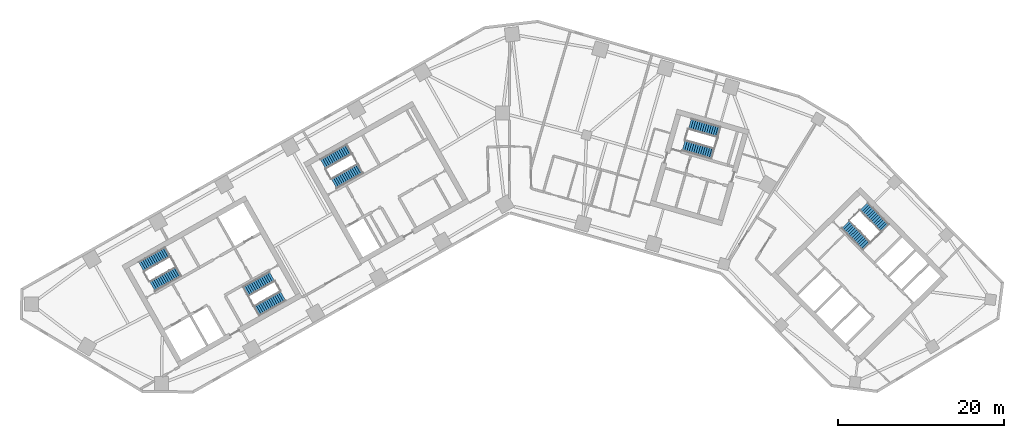
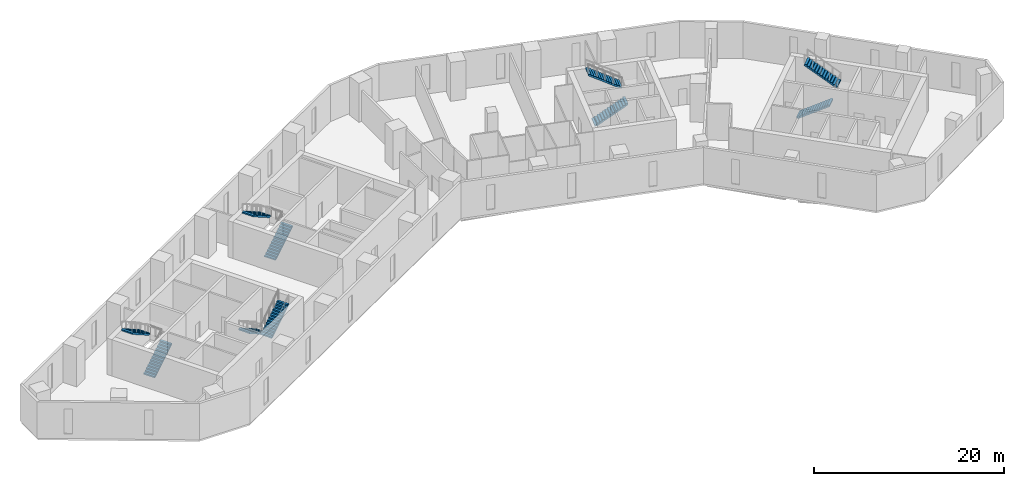
# One storey, part 8 of 10: 10 stair flights, 5 elements without a shape of their own.
"""IFC4 building model written with IfcOpenShell, lengths in metres."""

from ifc_helpers import new_model, si_unit, direction, frame, origin, place, context, subcontext, project, spatial, polyline, outline, extrude, material, type_object, element, aggregate, save


model = new_model("IFC4")

# Units and contexts
model_context = context("Model", 3, precision=1e-05, world=origin(), true_north=direction((0.0, 1.0)))
body_context = subcontext(model_context, "Body", "Model", "MODEL_VIEW")
ifc_project = project(units=[si_unit("LENGTHUNIT", "METRE"), si_unit("AREAUNIT", "SQUARE_METRE"), si_unit("VOLUMEUNIT", "CUBIC_METRE"), si_unit("PLANEANGLEUNIT", "RADIAN"), si_unit("MASSUNIT", "GRAM", prefix="KILO")], contexts=[model_context])

# Site, building, storey
site_placement = place(None, origin())
site = spatial("IfcSite", under=ifc_project, at=site_placement, CompositionType="ELEMENT")
building_placement = place(site_placement, origin())
building = spatial("IfcBuilding", under=site, at=building_placement, Name="Binnacle Exchange Tower", CompositionType="ELEMENT")
storey_placement = place(building_placement, frame((0.0, 0.0, 71.5)))
storey = spatial("IfcBuildingStorey", under=building, at=storey_placement, Name="L14", CompositionType="ELEMENT", Elevation=71.5)

# Stair, stair flights
ifc_material = material(Name="Concrete C35/45", Category="concrete")
stair_type = type_object("IfcStairType", Name="STAIR 28 RISERS 179", PredefinedType="HALF_TURN_STAIR", material=ifc_material)
stair_1_placement = place(storey_placement, origin())
stair_1 = element("IfcStair", 1, at=stair_1_placement, inside=storey, type_object=stair_type, Name="L14 Escape stair A1", PredefinedType="HALF_TURN_STAIR")
stair_flight_type = type_object("IfcStairFlightType", Name="STAIR FLIGHT 179X280", PredefinedType="STRAIGHT", material=ifc_material)
stair_flight_1_placement = place(storey_placement, frame((-42.9541015625, 39.17333984375, 0.0), z_axis=(0.0, 0.0, 1.0), x_axis=(0.870355584213, 0.492423757581, 0.0)))
stair_flight_1 = element("IfcStairFlight", 2, at=stair_flight_1_placement, type_object=stair_flight_type, Name="STA1 flight 1", NumberOfRisers=14, NumberOfTreads=13, PredefinedType="STRAIGHT", RiserHeight=0.178571429, TreadLength=0.28, context=body_context, shape_type="SweptSolid", body=[
    extrude(outline(polyline([(0.0, 0.0), (0.0, 0.178466796875), (0.280029296875, 0.178466796875), (0.280029296875, 0.357177734375), (0.56005859375, 0.357177734375), (0.56005859375, 0.53564453125), (0.840087890625, 0.53564453125), (0.840087890625, 0.71435546875), (1.1201171875, 0.71435546875), (1.1201171875, 0.892822265625), (1.39990234375, 0.892822265625), (1.39990234375, 1.071533203125), (1.679931640625, 1.071533203125), (1.679931640625, 1.25), (1.9599609375, 1.25), (1.9599609375, 1.428466796875), (2.239990234375, 1.428466796875), (2.239990234375, 1.607177734375), (2.52001953125, 1.607177734375), (2.52001953125, 1.78564453125), (2.800048828125, 1.78564453125), (2.800048828125, 1.96435546875), (3.080078125, 1.96435546875), (3.080078125, 2.142822265625), (3.360107421875, 2.142822265625), (3.360107421875, 2.321533203125), (3.639892578125, 2.321533203125), (3.639892578125, 2.5), (3.639892578125, 2.1435546875), (0.27880859375, 0.0), (0.0, 0.0)])), frame((0.0, 0.675048828125, 0.0), z_axis=(0.0, -1.0, 0.0), x_axis=(1.0, 0.0, 0.0)), (0.0, 0.0, 1.0), 1.35009765625),
])
stair_flight_2_placement = place(storey_placement, frame((-41.115478515625, 43.315673828125, 2.5), z_axis=(0.0, 0.0, 1.0), x_axis=(-0.870355584213, -0.492423757581, 0.0)))
stair_flight_2 = element("IfcStairFlight", 3, at=stair_flight_2_placement, type_object=stair_flight_type, Name="STA1 flight 2", NumberOfRisers=14, NumberOfTreads=13, PredefinedType="STRAIGHT", RiserHeight=0.178571429, TreadLength=0.28, context=body_context, shape_type="SweptSolid", body=[
    extrude(outline(polyline([(0.0, 0.0), (0.0, 0.178466796875), (0.280029296875, 0.178466796875), (0.280029296875, 0.357177734375), (0.56005859375, 0.357177734375), (0.56005859375, 0.53564453125), (0.840087890625, 0.53564453125), (0.840087890625, 0.71435546875), (1.1201171875, 0.71435546875), (1.1201171875, 0.892822265625), (1.39990234375, 0.892822265625), (1.39990234375, 1.071533203125), (1.679931640625, 1.071533203125), (1.679931640625, 1.25), (1.9599609375, 1.25), (1.9599609375, 1.428466796875), (2.239990234375, 1.428466796875), (2.239990234375, 1.607177734375), (2.52001953125, 1.607177734375), (2.52001953125, 1.78564453125), (2.800048828125, 1.78564453125), (2.800048828125, 1.96435546875), (3.080078125, 1.96435546875), (3.080078125, 2.142822265625), (3.360107421875, 2.142822265625), (3.360107421875, 2.321533203125), (3.639892578125, 2.321533203125), (3.639892578125, 2.5), (3.639892578125, 2.1435546875), (0.27880859375, 0.0), (0.0, 0.0)])), frame((0.0, 0.675048828125, 0.0), z_axis=(0.0, -1.0, 0.0), x_axis=(1.0, 0.0, 0.0)), (0.0, 0.0, 1.0), 1.35009765625),
])
aggregate(stair_1, [stair_flight_1, stair_flight_2])

stair_2_placement = place(storey_placement, origin())
stair_2 = element("IfcStair", 4, at=stair_2_placement, inside=storey, type_object=stair_type, Name="L14 Escape stair A2", PredefinedType="HALF_TURN_STAIR")
stair_flight_3_placement = place(storey_placement, frame((-28.5732421875, 40.3583984375, 0.0), z_axis=(0.0, 0.0, 1.0), x_axis=(-0.870355584213, -0.492423757581, 0.0)))
stair_flight_3 = element("IfcStairFlight", 5, at=stair_flight_3_placement, type_object=stair_flight_type, Name="STA2 flight 1", NumberOfRisers=14, NumberOfTreads=13, PredefinedType="STRAIGHT", RiserHeight=0.178571429, TreadLength=0.28, context=body_context, shape_type="SweptSolid", body=[
    extrude(outline(polyline([(0.0, 0.0), (0.0, 0.178466796875), (0.280029296875, 0.178466796875), (0.280029296875, 0.357177734375), (0.56005859375, 0.357177734375), (0.56005859375, 0.53564453125), (0.840087890625, 0.53564453125), (0.840087890625, 0.71435546875), (1.1201171875, 0.71435546875), (1.1201171875, 0.892822265625), (1.39990234375, 0.892822265625), (1.39990234375, 1.071533203125), (1.679931640625, 1.071533203125), (1.679931640625, 1.25), (1.9599609375, 1.25), (1.9599609375, 1.428466796875), (2.239990234375, 1.428466796875), (2.239990234375, 1.607177734375), (2.52001953125, 1.607177734375), (2.52001953125, 1.78564453125), (2.800048828125, 1.78564453125), (2.800048828125, 1.96435546875), (3.080078125, 1.96435546875), (3.080078125, 2.142822265625), (3.360107421875, 2.142822265625), (3.360107421875, 2.321533203125), (3.639892578125, 2.321533203125), (3.639892578125, 2.5), (3.639892578125, 2.1435546875), (0.27880859375, 0.0), (0.0, 0.0)])), frame((0.0, 0.675048828125, 0.0), z_axis=(0.0, -1.0, 0.0), x_axis=(1.0, 0.0, 0.0)), (0.0, 0.0, 1.0), 1.35009765625),
])
stair_flight_4_placement = place(storey_placement, frame((-30.411865234375, 36.216064453125, 2.5), z_axis=(0.0, 0.0, 1.0), x_axis=(0.870355584213, 0.492423757581, 0.0)))
stair_flight_4 = element("IfcStairFlight", 6, at=stair_flight_4_placement, type_object=stair_flight_type, Name="STA2 flight 2", NumberOfRisers=14, NumberOfTreads=13, PredefinedType="STRAIGHT", RiserHeight=0.178571429, TreadLength=0.28, context=body_context, shape_type="SweptSolid", body=[
    extrude(outline(polyline([(0.0, 0.0), (0.0, 0.178466796875), (0.280029296875, 0.178466796875), (0.280029296875, 0.357177734375), (0.56005859375, 0.357177734375), (0.56005859375, 0.53564453125), (0.840087890625, 0.53564453125), (0.840087890625, 0.71435546875), (1.1201171875, 0.71435546875), (1.1201171875, 0.892822265625), (1.39990234375, 0.892822265625), (1.39990234375, 1.071533203125), (1.679931640625, 1.071533203125), (1.679931640625, 1.25), (1.9599609375, 1.25), (1.9599609375, 1.428466796875), (2.239990234375, 1.428466796875), (2.239990234375, 1.607177734375), (2.52001953125, 1.607177734375), (2.52001953125, 1.78564453125), (2.800048828125, 1.78564453125), (2.800048828125, 1.96435546875), (3.080078125, 1.96435546875), (3.080078125, 2.142822265625), (3.360107421875, 2.142822265625), (3.360107421875, 2.321533203125), (3.639892578125, 2.321533203125), (3.639892578125, 2.5), (3.639892578125, 2.1435546875), (0.27880859375, 0.0), (0.0, 0.0)])), frame((0.0, 0.675048828125, 0.0), z_axis=(0.0, -1.0, 0.0), x_axis=(1.0, 0.0, 0.0)), (0.0, 0.0, 1.0), 1.35009765625),
])
aggregate(stair_2, [stair_flight_3, stair_flight_4])

stair_3_placement = place(storey_placement, origin())
stair_3 = element("IfcStair", 7, at=stair_3_placement, inside=storey, type_object=stair_type, Name="L14 Escape stair B1", PredefinedType="HALF_TURN_STAIR")
stair_flight_5_placement = place(storey_placement, frame((40.376708984375, 46.608642578125, 0.0), z_axis=(0.0, 0.0, 1.0), x_axis=(0.70090935144, -0.713250363522, 0.0)))
stair_flight_5 = element("IfcStairFlight", 8, at=stair_flight_5_placement, type_object=stair_flight_type, Name="STB1 flight 1", NumberOfRisers=14, NumberOfTreads=13, PredefinedType="STRAIGHT", RiserHeight=0.178571429, TreadLength=0.28, context=body_context, shape_type="SweptSolid", body=[
    extrude(outline(polyline([(0.0, 0.0), (0.0, 0.178466796875), (0.280029296875, 0.178466796875), (0.280029296875, 0.357177734375), (0.56005859375, 0.357177734375), (0.56005859375, 0.53564453125), (0.840087890625, 0.53564453125), (0.840087890625, 0.71435546875), (1.1201171875, 0.71435546875), (1.1201171875, 0.892822265625), (1.39990234375, 0.892822265625), (1.39990234375, 1.071533203125), (1.679931640625, 1.071533203125), (1.679931640625, 1.25), (1.9599609375, 1.25), (1.9599609375, 1.428466796875), (2.239990234375, 1.428466796875), (2.239990234375, 1.607177734375), (2.52001953125, 1.607177734375), (2.52001953125, 1.78564453125), (2.800048828125, 1.78564453125), (2.800048828125, 1.96435546875), (3.080078125, 1.96435546875), (3.080078125, 2.142822265625), (3.360107421875, 2.142822265625), (3.360107421875, 2.321533203125), (3.639892578125, 2.321533203125), (3.639892578125, 2.5), (3.639892578125, 2.1435546875), (0.27880859375, 0.0), (0.0, 0.0)])), frame((0.0, 0.675048828125, 0.0), z_axis=(0.0, -1.0, 0.0), x_axis=(1.0, 0.0, 0.0)), (0.0, 0.0, 1.0), 1.35009765625),
])
stair_flight_6_placement = place(storey_placement, frame((45.13916015625, 46.185302734375, 2.5), z_axis=(0.0, 0.0, 1.0), x_axis=(-0.70090935144, 0.713250363522, 0.0)))
stair_flight_6 = element("IfcStairFlight", 9, at=stair_flight_6_placement, type_object=stair_flight_type, Name="STB1 flight 2", NumberOfRisers=14, NumberOfTreads=13, PredefinedType="STRAIGHT", RiserHeight=0.178571429, TreadLength=0.28, context=body_context, shape_type="SweptSolid", body=[
    extrude(outline(polyline([(0.0, 0.0), (0.0, 0.178466796875), (0.280029296875, 0.178466796875), (0.280029296875, 0.357177734375), (0.56005859375, 0.357177734375), (0.56005859375, 0.53564453125), (0.840087890625, 0.53564453125), (0.840087890625, 0.71435546875), (1.1201171875, 0.71435546875), (1.1201171875, 0.892822265625), (1.39990234375, 0.892822265625), (1.39990234375, 1.071533203125), (1.679931640625, 1.071533203125), (1.679931640625, 1.25), (1.9599609375, 1.25), (1.9599609375, 1.428466796875), (2.239990234375, 1.428466796875), (2.239990234375, 1.607177734375), (2.52001953125, 1.607177734375), (2.52001953125, 1.78564453125), (2.800048828125, 1.78564453125), (2.800048828125, 1.96435546875), (3.080078125, 1.96435546875), (3.080078125, 2.142822265625), (3.360107421875, 2.142822265625), (3.360107421875, 2.321533203125), (3.639892578125, 2.321533203125), (3.639892578125, 2.5), (3.639892578125, 2.1435546875), (0.27880859375, 0.0), (0.0, 0.0)])), frame((0.0, 0.675048828125, 0.0), z_axis=(0.0, -1.0, 0.0), x_axis=(1.0, 0.0, 0.0)), (0.0, 0.0, 1.0), 1.35009765625),
])
aggregate(stair_3, [stair_flight_5, stair_flight_6])

stair_4_placement = place(storey_placement, origin())
stair_4 = element("IfcStair", 10, at=stair_4_placement, inside=storey, type_object=stair_type, Name="L14 Escape stair C1", PredefinedType="HALF_TURN_STAIR")
stair_flight_7_placement = place(storey_placement, frame((-21.115966796875, 51.528564453125, 0.0), z_axis=(0.0, 0.0, 1.0), x_axis=(0.870355584213, 0.492423757581, 0.0)))
stair_flight_7 = element("IfcStairFlight", 11, at=stair_flight_7_placement, type_object=stair_flight_type, Name="STC1 flight 1", NumberOfRisers=14, NumberOfTreads=13, PredefinedType="STRAIGHT", RiserHeight=0.178571429, TreadLength=0.28, context=body_context, shape_type="SweptSolid", body=[
    extrude(outline(polyline([(0.0, 0.0), (0.0, 0.178466796875), (0.280029296875, 0.178466796875), (0.280029296875, 0.357177734375), (0.56005859375, 0.357177734375), (0.56005859375, 0.53564453125), (0.840087890625, 0.53564453125), (0.840087890625, 0.71435546875), (1.1201171875, 0.71435546875), (1.1201171875, 0.892822265625), (1.39990234375, 0.892822265625), (1.39990234375, 1.071533203125), (1.679931640625, 1.071533203125), (1.679931640625, 1.25), (1.9599609375, 1.25), (1.9599609375, 1.428466796875), (2.239990234375, 1.428466796875), (2.239990234375, 1.607177734375), (2.52001953125, 1.607177734375), (2.52001953125, 1.78564453125), (2.800048828125, 1.78564453125), (2.800048828125, 1.96435546875), (3.080078125, 1.96435546875), (3.080078125, 2.142822265625), (3.360107421875, 2.142822265625), (3.360107421875, 2.321533203125), (3.639892578125, 2.321533203125), (3.639892578125, 2.5), (3.639892578125, 2.1435546875), (0.27880859375, 0.0), (0.0, 0.0)])), frame((0.0, 0.675048828125, 0.0), z_axis=(0.0, -1.0, 0.0), x_axis=(1.0, 0.0, 0.0)), (0.0, 0.0, 1.0), 1.35009765625),
])
stair_flight_8_placement = place(storey_placement, frame((-19.27734375, 55.671142578125, 2.5), z_axis=(0.0, 0.0, 1.0), x_axis=(-0.870355584213, -0.492423757581, 0.0)))
stair_flight_8 = element("IfcStairFlight", 12, at=stair_flight_8_placement, type_object=stair_flight_type, Name="STC1 flight 2", NumberOfRisers=14, NumberOfTreads=13, PredefinedType="STRAIGHT", RiserHeight=0.178571429, TreadLength=0.28, context=body_context, shape_type="SweptSolid", body=[
    extrude(outline(polyline([(0.0, 0.0), (0.0, 0.178466796875), (0.280029296875, 0.178466796875), (0.280029296875, 0.357177734375), (0.56005859375, 0.357177734375), (0.56005859375, 0.53564453125), (0.840087890625, 0.53564453125), (0.840087890625, 0.71435546875), (1.1201171875, 0.71435546875), (1.1201171875, 0.892822265625), (1.39990234375, 0.892822265625), (1.39990234375, 1.071533203125), (1.679931640625, 1.071533203125), (1.679931640625, 1.25), (1.9599609375, 1.25), (1.9599609375, 1.428466796875), (2.239990234375, 1.428466796875), (2.239990234375, 1.607177734375), (2.52001953125, 1.607177734375), (2.52001953125, 1.78564453125), (2.800048828125, 1.78564453125), (2.800048828125, 1.96435546875), (3.080078125, 1.96435546875), (3.080078125, 2.142822265625), (3.360107421875, 2.142822265625), (3.360107421875, 2.321533203125), (3.639892578125, 2.321533203125), (3.639892578125, 2.5), (3.639892578125, 2.1435546875), (0.27880859375, 0.0), (0.0, 0.0)])), frame((0.0, 0.675048828125, 0.0), z_axis=(0.0, -1.0, 0.0), x_axis=(1.0, 0.0, 0.0)), (0.0, 0.0, 1.0), 1.35009765625),
])
aggregate(stair_4, [stair_flight_7, stair_flight_8])

stair_5_placement = place(storey_placement, origin())
stair_5 = element("IfcStair", 13, at=stair_5_placement, inside=storey, type_object=stair_type, Name="L14 Escape stair D1", PredefinedType="HALF_TURN_STAIR")
stair_flight_9_placement = place(storey_placement, frame((20.914306640625, 56.109619140625, 0.0), z_axis=(0.0, 0.0, 1.0), x_axis=(0.961261811397, -0.275636953165, 0.0)))
stair_flight_9 = element("IfcStairFlight", 14, at=stair_flight_9_placement, type_object=stair_flight_type, Name="STD1 flight 1", NumberOfRisers=14, NumberOfTreads=13, PredefinedType="STRAIGHT", RiserHeight=0.178571429, TreadLength=0.28, context=body_context, shape_type="SweptSolid", body=[
    extrude(outline(polyline([(0.0, 0.0), (0.0, 0.178466796875), (0.280029296875, 0.178466796875), (0.280029296875, 0.357177734375), (0.56005859375, 0.357177734375), (0.56005859375, 0.53564453125), (0.840087890625, 0.53564453125), (0.840087890625, 0.71435546875), (1.1201171875, 0.71435546875), (1.1201171875, 0.892822265625), (1.39990234375, 0.892822265625), (1.39990234375, 1.071533203125), (1.679931640625, 1.071533203125), (1.679931640625, 1.25), (1.9599609375, 1.25), (1.9599609375, 1.428466796875), (2.239990234375, 1.428466796875), (2.239990234375, 1.607177734375), (2.52001953125, 1.607177734375), (2.52001953125, 1.78564453125), (2.800048828125, 1.78564453125), (2.800048828125, 1.96435546875), (3.080078125, 1.96435546875), (3.080078125, 2.142822265625), (3.360107421875, 2.142822265625), (3.360107421875, 2.321533203125), (3.639892578125, 2.321533203125), (3.639892578125, 2.5), (3.639892578125, 2.1435546875), (0.27880859375, 0.0), (0.0, 0.0)])), frame((0.0, 0.675048828125, 0.0), z_axis=(0.0, -1.0, 0.0), x_axis=(1.0, 0.0, 0.0)), (0.0, 0.0, 1.0), 1.35009765625),
])
stair_flight_10_placement = place(storey_placement, frame((25.157470703125, 57.70166015625, 2.5), z_axis=(0.0, 0.0, 1.0), x_axis=(-0.961261811397, 0.275636953165, 0.0)))
stair_flight_10 = element("IfcStairFlight", 15, at=stair_flight_10_placement, type_object=stair_flight_type, Name="STD1 flight 2", NumberOfRisers=14, NumberOfTreads=13, PredefinedType="STRAIGHT", RiserHeight=0.178571429, TreadLength=0.28, context=body_context, shape_type="SweptSolid", body=[
    extrude(outline(polyline([(0.0, 0.0), (0.0, 0.178466796875), (0.280029296875, 0.178466796875), (0.280029296875, 0.357177734375), (0.56005859375, 0.357177734375), (0.56005859375, 0.53564453125), (0.840087890625, 0.53564453125), (0.840087890625, 0.71435546875), (1.1201171875, 0.71435546875), (1.1201171875, 0.892822265625), (1.39990234375, 0.892822265625), (1.39990234375, 1.071533203125), (1.679931640625, 1.071533203125), (1.679931640625, 1.25), (1.9599609375, 1.25), (1.9599609375, 1.428466796875), (2.239990234375, 1.428466796875), (2.239990234375, 1.607177734375), (2.52001953125, 1.607177734375), (2.52001953125, 1.78564453125), (2.800048828125, 1.78564453125), (2.800048828125, 1.96435546875), (3.080078125, 1.96435546875), (3.080078125, 2.142822265625), (3.360107421875, 2.142822265625), (3.360107421875, 2.321533203125), (3.639892578125, 2.321533203125), (3.639892578125, 2.5), (3.639892578125, 2.1435546875), (0.27880859375, 0.0), (0.0, 0.0)])), frame((0.0, 0.675048828125, 0.0), z_axis=(0.0, -1.0, 0.0), x_axis=(1.0, 0.0, 0.0)), (0.0, 0.0, 1.0), 1.35009765625),
])
aggregate(stair_5, [stair_flight_9, stair_flight_10])

save(model, "model.ifc")
